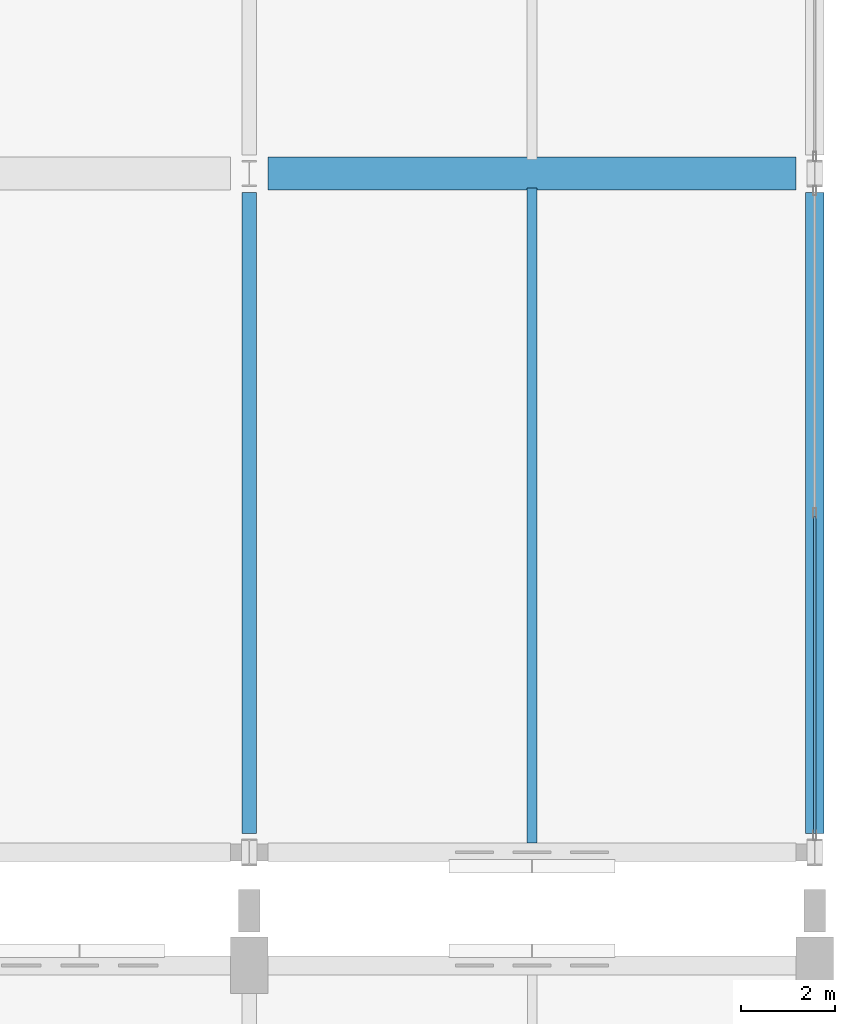
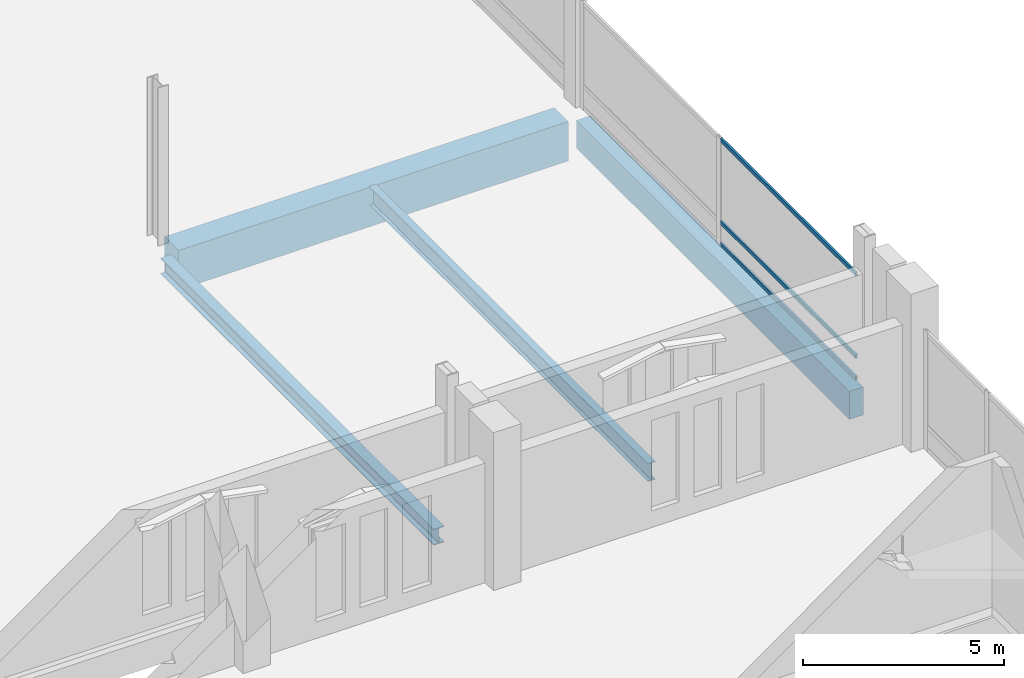
# One storey, part 114 of 220: 4 beams, 3 members, 1 element without a shape of its own.
"""IFC4 building model written with IfcOpenShell, lengths in metres."""

from ifc_helpers import new_model, si_unit, direction, frame, origin, origin_2d, place, context, subcontext, project, spatial, rectangle, hollow_rectangle, i_section, extrude, material, material_profile, profile_set, type_object, element, aggregate, save


model = new_model("IFC4")

# Units and contexts
model_context = context("Model", 3, precision=1e-05, world=origin(), true_north=direction((0.0, 1.0)))
body_context = subcontext(model_context, "Body", "Model", "MODEL_VIEW")
ifc_project = project(units=[si_unit("LENGTHUNIT", "METRE"), si_unit("AREAUNIT", "SQUARE_METRE"), si_unit("VOLUMEUNIT", "CUBIC_METRE"), si_unit("PLANEANGLEUNIT", "RADIAN"), si_unit("MASSUNIT", "GRAM", prefix="KILO")], contexts=[model_context])

# Site, building, storey
site_placement = place(None, origin())
site = spatial("IfcSite", under=ifc_project, at=site_placement, CompositionType="ELEMENT")
building_placement = place(site_placement, origin())
building = spatial("IfcBuilding", under=site, at=building_placement, Name="Cendralis Lancet Convention Centre", CompositionType="ELEMENT")
storey_placement = place(building_placement, frame((0.0, 0.0, 5.39990234375)))
storey = spatial("IfcBuildingStorey", under=building, at=storey_placement, Name="L01", CompositionType="ELEMENT", Elevation=5.39990234375)

# Curtain wall, members
ifc_material_1 = material(Name="Anodised bronze architectural aluminium", Category="aluminium")
curtain_wall_type = type_object("IfcCurtainWallType", Name="ARC-CW-BL02", PredefinedType="USERDEFINED", material=ifc_material_1)
curtain_wall_placement = place(storey_placement, origin())
curtain_wall = element("IfcCurtainWall", 1, at=curtain_wall_placement, inside=storey, type_object=curtain_wall_type, Name="L01 Curtain Wall CW-BL2 #152", ObjectType="CURTAIN WALL", PredefinedType="USERDEFINED")
ifc_material_profile_1 = material_profile(ifc_material_1, hollow_rectangle(XDim=0.06005859375, YDim=0.1201171875, WallThickness=0.00390625, at=origin_2d()), Name="AL-TRAN 60x120x4.0")
ifc_profile_set_1 = profile_set([ifc_material_profile_1], Name="Anodised bronze architectural aluminium")
member_type = type_object("IfcMemberType", Name="ARC-CW-TR01", PredefinedType="USERDEFINED", material=ifc_profile_set_1)
member_1_placement = place(storey_placement, frame((208.800048828125, 100.72998046875, 0.06005859375), z_axis=(0.0, -1.0, 0.0), x_axis=(1.0, 0.0, 0.0)))
member_1 = element("IfcMember", 2, at=member_1_placement, type_object=member_type, Name="Transom CW2-CW-BL2-L01-152-T1BOT", ObjectType="TRANSOM", PredefinedType="USERDEFINED", context=body_context, shape_type="SweptSolid", body=[
    extrude(hollow_rectangle(XDim=0.06005859375, YDim=0.1201171875, WallThickness=0.00390625, at=origin_2d()), origin(), (0.0, 0.0, 1.0), 6.73486328125),
])
member_2_placement = place(storey_placement, frame((208.800048828125, 100.72998046875, 0.722900390625), z_axis=(0.0, -1.0, 0.0), x_axis=(1.0, 0.0, 0.0)))
member_2 = element("IfcMember", 3, at=member_2_placement, type_object=member_type, Name="Transom CW2-CW-BL2-L01-152-T1MID", ObjectType="TRANSOM", PredefinedType="USERDEFINED", context=body_context, shape_type="SweptSolid", body=[
    extrude(hollow_rectangle(XDim=0.06005859375, YDim=0.1201171875, WallThickness=0.00390625, at=origin_2d()), origin(), (0.0, 0.0, 1.0), 6.73486328125),
])
member_3_placement = place(storey_placement, frame((208.800048828125, 100.72998046875, 3.22509765625), z_axis=(0.0, -1.0, 0.0), x_axis=(1.0, 0.0, 0.0)))
member_3 = element("IfcMember", 4, at=member_3_placement, type_object=member_type, Name="Transom CW2-CW-BL2-L01-152-T1TOP", ObjectType="TRANSOM", PredefinedType="USERDEFINED", context=body_context, shape_type="SweptSolid", body=[
    extrude(hollow_rectangle(XDim=0.06005859375, YDim=0.1201171875, WallThickness=0.00390625, at=origin_2d()), origin(), (0.0, 0.0, 1.0), 6.73486328125),
])
aggregate(curtain_wall, [member_1, member_2, member_3])

# Beams
ifc_material_2 = material(Name="Concrete G40 (C40/50)", Category="concrete")
ifc_material_profile_2 = material_profile(ifc_material_2, rectangle(XDim=0.699951171875, YDim=1.199951171875, at=origin_2d()), Name="RCB 700x1200")
ifc_profile_set_2 = profile_set([ifc_material_profile_2], Name="Concrete G40 (C40/50)")
beam_type_1 = type_object("IfcBeamType", Name="STR-BM-BG01", PredefinedType="BEAM", material=ifc_profile_set_2)
beam_1_placement = place(storey_placement, frame((197.199951171875, 108.0, -0.8798828125), z_axis=(1.0, 0.0, 0.0), x_axis=(0.0, 1.0, 0.0)))
element("IfcBeam", 5, at=beam_1_placement, inside=storey, type_object=beam_type_1, Name="L01 Beam BG01 #1650", PredefinedType="BEAM", context=body_context, shape_type="SweptSolid", body=[
    extrude(rectangle(XDim=0.699951171875, YDim=1.199951171875, at=origin_2d()), origin(), (0.0, 0.0, 1.0), 11.199951171875),
])
ifc_material_3 = material(Name="Steel S355", Category="steel")
ifc_material_profile_3 = material_profile(ifc_material_3, i_section(OverallWidth=0.300048828125, OverallDepth=0.489990234375, WebThickness=0.011962890625, FlangeThickness=0.02294921875, FilletRadius=0.027099609375, at=origin_2d()), Name="HEA 500")
ifc_profile_set_3 = profile_set([ifc_material_profile_3], Name="Steel S355")
beam_type_2 = type_object("IfcBeamType", Name="STR-BM-SG12", PredefinedType="BEAM", material=ifc_profile_set_3)
beam_2_placement = place(storey_placement, frame((196.800048828125, 94.0, -0.52490234375), z_axis=(0.0, 1.0, 0.0), x_axis=(-1.0, 0.0, 0.0)))
element("IfcBeam", 6, at=beam_2_placement, inside=storey, type_object=beam_type_2, Name="L01 Beam SG12 #1678", PredefinedType="BEAM", context=body_context, shape_type="SweptSolid", body=[
    extrude(i_section(OverallWidth=0.300048828125, OverallDepth=0.489990234375, WebThickness=0.011962890625, FlangeThickness=0.02294921875, FilletRadius=0.027099609375, at=origin_2d()), origin(), (0.0, 0.0, 1.0), 13.60009765625),
])
ifc_material_profile_4 = material_profile(ifc_material_3, i_section(OverallWidth=0.2099609375, OverallDepth=0.550048828125, WebThickness=0.010986328125, FlangeThickness=0.01708984375, FilletRadius=0.02392578125, at=origin_2d()), Name="IPE 550")
ifc_profile_set_4 = profile_set([ifc_material_profile_4], Name="Steel S355")
beam_type_3 = type_object("IfcBeamType", Name="STR-JS-BJ05", PredefinedType="JOIST", material=ifc_profile_set_4)
beam_3_placement = place(storey_placement, frame((202.800048828125, 93.800048828125, -0.554931640625), z_axis=(0.0, 1.0, 0.0), x_axis=(-1.0, 0.0, 0.0)))
element("IfcBeam", 7, at=beam_3_placement, inside=storey, type_object=beam_type_3, Name="L01 Beam BJ05 #1695", PredefinedType="JOIST", context=body_context, shape_type="SweptSolid", body=[
    extrude(i_section(OverallWidth=0.2099609375, OverallDepth=0.550048828125, WebThickness=0.010986328125, FlangeThickness=0.01708984375, FilletRadius=0.02392578125, at=origin_2d()), origin(), (0.0, 0.0, 1.0), 13.89990234375),
])
ifc_material_profile_5 = material_profile(ifc_material_2, rectangle(XDim=0.39990234375, YDim=0.85009765625, at=origin_2d()), Name="RCB 400x850")
ifc_profile_set_5 = profile_set([ifc_material_profile_5], Name="Concrete G40 (C40/50)")
beam_type_4 = type_object("IfcBeamType", Name="STR-SP-SP02", PredefinedType="SPANDREL", material=ifc_profile_set_5)
beam_4_placement = place(storey_placement, frame((208.800048828125, 94.0, -0.704833984375), z_axis=(0.0, 1.0, 0.0), x_axis=(-1.0, 0.0, 0.0)))
element("IfcBeam", 8, at=beam_4_placement, inside=storey, type_object=beam_type_4, Name="L01 Beam SP02 #1681", PredefinedType="SPANDREL", context=body_context, shape_type="SweptSolid", body=[
    extrude(rectangle(XDim=0.39990234375, YDim=0.85009765625, at=origin_2d()), origin(), (0.0, 0.0, 1.0), 13.60009765625),
])

save(model, "model.ifc")
